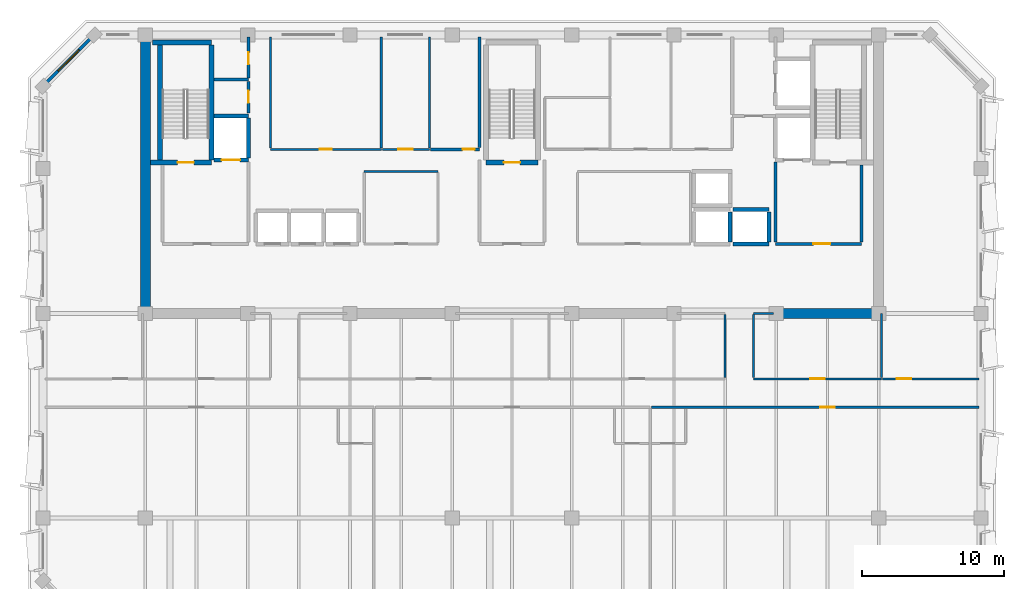
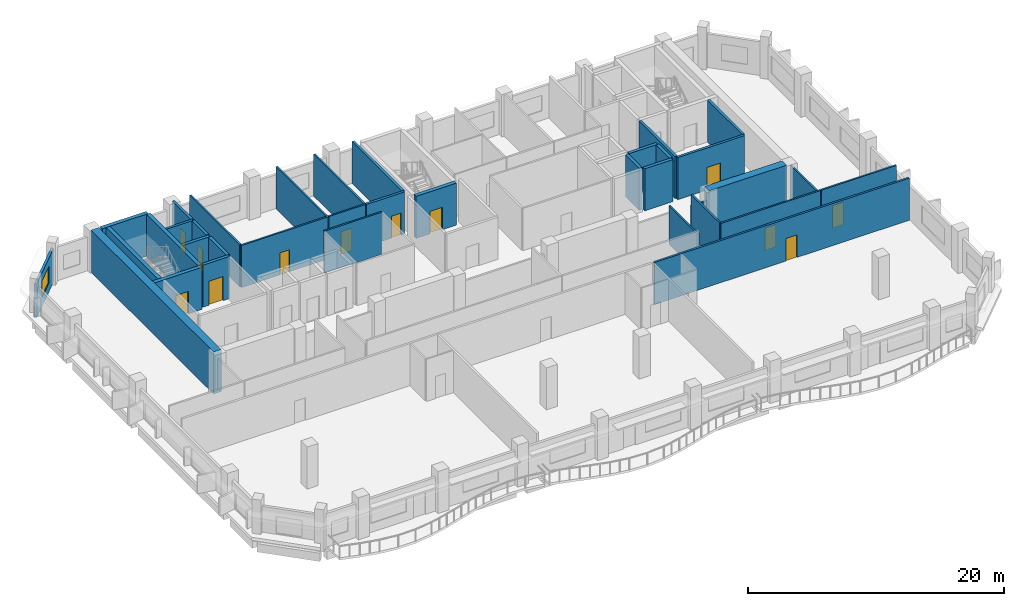
# One storey, part 5 of 10: 36 walls, 12 doors, 1 window, 13 openings.
"""IFC4 building model written with IfcOpenShell, lengths in metres."""

from ifc_helpers import new_model, si_unit, direction, frame, frame_2d, origin, place, context, subcontext, project, spatial, rectangle, extrude, material, layer, layer_set, type_object, element, fill, save


model = new_model("IFC4")

# Units and contexts
model_context = context("Model", 3, precision=1e-05, world=origin(), true_north=direction((0.0, 1.0)))
body_context = subcontext(model_context, "Body", "Model", "MODEL_VIEW")
ifc_project = project(units=[si_unit("LENGTHUNIT", "METRE"), si_unit("AREAUNIT", "SQUARE_METRE"), si_unit("VOLUMEUNIT", "CUBIC_METRE"), si_unit("PLANEANGLEUNIT", "RADIAN"), si_unit("MASSUNIT", "GRAM", prefix="KILO")], contexts=[model_context])

# Site, building, storey
site_placement = place(None, origin())
site = spatial("IfcSite", under=ifc_project, at=site_placement, CompositionType="ELEMENT")
building_placement = place(site_placement, origin())
building = spatial("IfcBuilding", under=site, at=building_placement, Name="Kaelvorn Grand Hotel", CompositionType="ELEMENT")
storey_placement = place(building_placement, frame((0.0, 0.0, 290.300048828125)))
storey = spatial("IfcBuildingStorey", under=building, at=storey_placement, Name="L71", CompositionType="ELEMENT", Elevation=290.300048828125)

# Walls
ifc_material_1 = material(Name="Concrete C50/60", Category="concrete")
ifc_layer_1 = layer(ifc_material_1, 0.699951171875)
ifc_layer_set_1 = layer_set([ifc_layer_1], Name="Concrete C50/60")
wall_type_1 = type_object("IfcWallType", Name="WL-CORE-700-C50", PredefinedType="SHEAR", material=ifc_layer_set_1)
wall_1_placement = place(storey_placement, frame((16.199951171875, 29.39990234375, 0.0), z_axis=(0.0, 0.0, 1.0), x_axis=(0.0, 1.0, 0.0)))
element("IfcWall", 1, at=wall_1_placement, inside=storey, type_object=wall_type_1, Name="L71 Rear-Core West Shear Wall", PredefinedType="SHEAR", context=body_context, shape_type="SweptSolid", body=[
    extrude(rectangle(XDim=19.2001953125, YDim=0.699951171875, at=frame_2d((9.60009765625, 0.0))), origin(), (0.0, 0.0, 1.0), 4.02001953125),
])
wall_2_placement = place(storey_placement, frame((60.39990234375, 29.39990234375, 0.0), z_axis=(0.0, 0.0, 1.0), x_axis=(1.0, 0.0, 0.0)))
element("IfcWall", 2, at=wall_2_placement, inside=storey, type_object=wall_type_1, Name="L71 Rear-Core Coupled Shear Pier S4", PredefinedType="SHEAR", context=body_context, shape_type="SweptSolid", body=[
    extrude(rectangle(XDim=7.045166015625, YDim=0.699951171875, at=frame_2d((3.5224609375, 0.0))), origin(), (0.0, 0.0, 1.0), 4.02001953125),
])

# Wall, opening, window
ifc_material_2 = material(Name="Concrete C40/50", Category="concrete")
ifc_layer_2 = layer(ifc_material_2, 0.219970703125)
ifc_layer_set_2 = layer_set([ifc_layer_2], Name="Concrete C40/50")
wall_type_2 = type_object("IfcWallType", Name="WL-EXT-220-C40", PredefinedType="SOLIDWALL", material=ifc_layer_set_2)
wall_3_placement = place(storey_placement, frame((12.60009765625, 49.0, 0.0), z_axis=(0.0, 0.0, 1.0), x_axis=(-0.707106781187, -0.707106781187, 0.0)))
wall_3 = element("IfcWall", 3, at=wall_3_placement, inside=storey, type_object=wall_type_2, Name="L71 Exterior Architectural Concrete Wall 06", PredefinedType="SOLIDWALL", context=body_context, shape_type="SweptSolid", body=[
    extrude(rectangle(XDim=5.09130859375, YDim=0.219970703125, at=frame_2d((2.545654296875, 0.0))), origin(), (0.0, 0.0, 1.0), 3.219970703125),
])
opening_1_placement = place(wall_3_placement, frame((1.49560546875, 0.0, 0.85009765625)))
opening_1 = element("IfcOpeningElement", 4, at=opening_1_placement, cuts=wall_3, Name="Opening W7", PredefinedType="OPENING", context=body_context, shape_type="SweptSolid", body=[
    extrude(rectangle(XDim=2.10009765625, YDim=1.60009765625, at=frame_2d((1.050048828125, 0.800048828125))), frame((0.0, 0.1201171875, 0.0), z_axis=(0.0, -1.0, 0.0), x_axis=(1.0, 0.0, 0.0)), (0.0, 0.0, 1.0), 0.239990234375),
])
ifc_material_3 = material(Name="Laminated Low-E Glass", Category="glass")
window_type = type_object("IfcWindowType", Name="WIN-CHM-2100x1600", PartitioningType="SINGLE_PANEL", PredefinedType="WINDOW", material=ifc_material_3)
window_placement = place(opening_1_placement, origin())
window = element("IfcWindow", 5, at=window_placement, inside=storey, type_object=window_type, Name="L71 Chamfered 45-Degree Corner Window NW", OverallHeight=1.60009765625, OverallWidth=2.10009765625, PartitioningType="SINGLE_PANEL", PredefinedType="WINDOW", context=body_context, shape_type="SweptSolid", body=[
    extrude(rectangle(XDim=2.10009765625, YDim=1.60009765625, at=frame_2d((1.050048828125, 0.800048828125))), frame((0.0, 0.030029296875, 0.0), z_axis=(0.0, -1.0, 0.0), x_axis=(1.0, 0.0, 0.0)), (0.0, 0.0, 1.0), 0.06005859375),
])
fill(opening_1, window)

# Wall
ifc_material_4 = material(Name="Acoustic Gypsum & Stud Partition")
ifc_layer_3 = layer(ifc_material_4, 0.14990234375)
ifc_layer_set_3 = layer_set([ifc_layer_3], Name="Acoustic Gypsum & Stud Partition")
wall_type_3 = type_object("IfcWallType", Name="WL-PART-150-EI60", PredefinedType="PARTITIONING", material=ifc_layer_set_3)
wall_4_placement = place(storey_placement, frame((31.60009765625, 39.39990234375, 0.0), z_axis=(0.0, 0.0, 1.0), x_axis=(1.0, 0.0, 0.0)))
element("IfcWall", 6, at=wall_4_placement, inside=storey, type_object=wall_type_3, Name="L71 Core Telecoms & BMS Server Room N Partition", PredefinedType="PARTITIONING", context=body_context, shape_type="SweptSolid", body=[
    extrude(rectangle(XDim=5.199951171875, YDim=0.14990234375, at=frame_2d((2.60009765625, 0.0))), origin(), (0.0, 0.0, 1.0), 4.02001953125),
])

# Wall, opening, door
wall_5_placement = place(storey_placement, frame((25.0, 40.949951171875, 0.0), z_axis=(0.0, 0.0, 1.0), x_axis=(1.0, 0.0, 0.0)))
wall_5 = element("IfcWall", 7, at=wall_5_placement, inside=storey, type_object=wall_type_3, Name="L71 Housekeeping & Linen Room S Partition", PredefinedType="PARTITIONING", context=body_context, shape_type="SweptSolid", body=[
    extrude(rectangle(XDim=7.800048828125, YDim=0.14990234375, at=frame_2d((3.89990234375, 0.0))), origin(), (0.0, 0.0, 1.0), 4.02001953125),
])
opening_2_placement = place(wall_5_placement, frame((3.47509765625, 0.0, 0.0)))
opening_2 = element("IfcOpeningElement", 8, at=opening_2_placement, cuts=wall_5, Name="Opening DI7", PredefinedType="OPENING", context=body_context, shape_type="SweptSolid", body=[
    extrude(rectangle(XDim=0.85009765625, YDim=2.10009765625, at=frame_2d((0.425048828125, 1.050048828125))), frame((0.0, 0.0849609375, 0.0), z_axis=(0.0, -1.0, 0.0), x_axis=(1.0, 0.0, 0.0)), (0.0, 0.0, 1.0), 0.169921875),
])
ifc_material_5 = material(Name="Powder-Coated Steel Leaf", Category="steel")
door_type_1 = type_object("IfcDoorType", Name="DR-INT-RISER-850x2100", OperationType="NOTDEFINED", PredefinedType="DOOR", material=ifc_material_5)
door_1_placement = place(opening_2_placement, origin())
door_1 = element("IfcDoor", 9, at=door_1_placement, inside=storey, type_object=door_type_1, Name="L71 Housekeeping & Linen Room Door", OperationType="SINGLE_SWING_RIGHT", OverallHeight=2.10009765625, OverallWidth=0.85009765625, PredefinedType="DOOR", context=body_context, shape_type="SweptSolid", body=[
    extrude(rectangle(XDim=0.85009765625, YDim=2.10009765625, at=frame_2d((0.425048828125, 1.050048828125))), frame((0.0, 0.02490234375, 0.0), z_axis=(0.0, -1.0, 0.0), x_axis=(1.0, 0.0, 0.0)), (0.0, 0.0, 1.0), 0.050048828125),
])
fill(opening_2, door_1)

# Walls
for number, where, z_axis, x_axis, name in (
    (10, (25.0, 41.030029296875, 0.0), (0.0, 0.0, 1.0), (0.0, 1.0, 0.0), "L71 Housekeeping & Linen Room W Partition"),
    (11, (32.800048828125, 41.030029296875, 0.0), (0.0, 0.0, 1.0), (0.0, 1.0, 0.0), "L71 Housekeeping & Linen Room E Partition"),
):
    element("IfcWall", number, at=place(storey_placement, frame(where, z_axis=z_axis, x_axis=x_axis)), inside=storey, type_object=wall_type_3, Name=name, PredefinedType="PARTITIONING", context=body_context, shape_type="SweptSolid", body=[
        extrude(rectangle(XDim=7.820068359375, YDim=0.14990234375, at=frame_2d((3.91015625, 0.0))), origin(), (0.0, 0.0, 1.0), 4.02001953125),
    ])

# Wall, opening, door
wall_6_placement = place(storey_placement, frame((32.8798828125, 40.949951171875, 0.0), z_axis=(0.0, 0.0, 1.0), x_axis=(1.0, 0.0, 0.0)))
wall_6 = element("IfcWall", 12, at=wall_6_placement, inside=storey, type_object=wall_type_3, Name="L71 Floor Butler Tea Point S Partition", PredefinedType="PARTITIONING", context=body_context, shape_type="SweptSolid", body=[
    extrude(rectangle(XDim=3.320068359375, YDim=0.14990234375, at=frame_2d((1.66015625, 0.0))), origin(), (0.0, 0.0, 1.0), 4.02001953125),
])
opening_3_placement = place(wall_6_placement, frame((1.1201171875, 0.0, 0.0)))
opening_3 = element("IfcOpeningElement", 13, at=opening_3_placement, cuts=wall_6, Name="Opening DI3", PredefinedType="OPENING", context=body_context, shape_type="SweptSolid", body=[
    extrude(rectangle(XDim=1.0, YDim=2.14990234375, at=frame_2d((0.5, 1.074951171875))), frame((0.0, 0.0849609375, 0.0), z_axis=(0.0, -1.0, 0.0), x_axis=(1.0, 0.0, 0.0)), (0.0, 0.0, 1.0), 0.169921875),
])
ifc_material_6 = material(Name="Timber Veneer Fire Leaf", Category="wood")
door_type_2 = type_object("IfcDoorType", Name="DR-INT-GUEST-1000x2150", OperationType="NOTDEFINED", PredefinedType="DOOR", material=ifc_material_6)
door_2_placement = place(opening_3_placement, origin())
door_2 = element("IfcDoor", 14, at=door_2_placement, inside=storey, type_object=door_type_2, Name="L71 Floor Butler Tea Point Door", OperationType="SINGLE_SWING_LEFT", OverallHeight=2.14990234375, OverallWidth=1.0, PredefinedType="DOOR", context=body_context, shape_type="SweptSolid", body=[
    extrude(rectangle(XDim=1.0, YDim=2.14990234375, at=frame_2d((0.5, 1.074951171875))), frame((0.0, 0.02490234375, 0.0), z_axis=(0.0, -1.0, 0.0), x_axis=(1.0, 0.0, 0.0)), (0.0, 0.0, 1.0), 0.050048828125),
])
fill(opening_3, door_2)

# Walls
wall_7_placement = place(storey_placement, frame((36.199951171875, 41.030029296875, 0.0), z_axis=(0.0, 0.0, 1.0), x_axis=(0.0, 1.0, 0.0)))
element("IfcWall", 15, at=wall_7_placement, inside=storey, type_object=wall_type_3, Name="L71 Floor Butler Tea Point E Partition", PredefinedType="PARTITIONING", context=body_context, shape_type="SweptSolid", body=[
    extrude(rectangle(XDim=7.820068359375, YDim=0.14990234375, at=frame_2d((3.91015625, 0.0))), origin(), (0.0, 0.0, 1.0), 4.02001953125),
])
wall_8_placement = place(storey_placement, frame((57.0, 24.8798828125, 0.0), z_axis=(0.0, 0.0, 1.0), x_axis=(0.0, 1.0, 0.0)))
element("IfcWall", 16, at=wall_8_placement, inside=storey, type_object=wall_type_3, Name="L71 Family Sitting Room E Partition", PredefinedType="PARTITIONING", context=body_context, shape_type="SweptSolid", body=[
    extrude(rectangle(XDim=4.440185546875, YDim=0.14990234375, at=frame_2d((2.22021484375, 0.0))), origin(), (0.0, 0.0, 1.0), 3.659912109375),
])

# Wall, opening, door
wall_9_placement = place(storey_placement, frame((59.0, 24.800048828125, 0.0), z_axis=(0.0, 0.0, 1.0), x_axis=(1.0, 0.0, 0.0)))
wall_9 = element("IfcWall", 17, at=wall_9_placement, inside=storey, type_object=wall_type_3, Name="L71 VIP Dining Restaurant S Partition", PredefinedType="PARTITIONING", context=body_context, shape_type="SweptSolid", body=[
    extrude(rectangle(XDim=9.0, YDim=0.14990234375, at=frame_2d((4.5, 0.0))), origin(), (0.0, 0.0, 1.0), 4.02001953125),
])
opening_4_placement = place(wall_9_placement, frame((4.0, 0.0, 0.0)))
opening_4 = element("IfcOpeningElement", 18, at=opening_4_placement, cuts=wall_9, Name="Opening DI3", PredefinedType="OPENING", context=body_context, shape_type="SweptSolid", body=[
    extrude(rectangle(XDim=1.0, YDim=2.14990234375, at=frame_2d((0.5, 1.074951171875))), frame((0.0, 0.0849609375, 0.0), z_axis=(0.0, -1.0, 0.0), x_axis=(1.0, 0.0, 0.0)), (0.0, 0.0, 1.0), 0.169921875),
])
door_3_placement = place(opening_4_placement, origin())
door_3 = element("IfcDoor", 19, at=door_3_placement, inside=storey, type_object=door_type_2, Name="L71 VIP Dining Restaurant Door", OperationType="SINGLE_SWING_LEFT", OverallHeight=2.14990234375, OverallWidth=1.0, PredefinedType="DOOR", context=body_context, shape_type="SweptSolid", body=[
    extrude(rectangle(XDim=1.0, YDim=2.14990234375, at=frame_2d((0.5, 1.074951171875))), frame((0.0, 0.02490234375, 0.0), z_axis=(0.0, -1.0, 0.0), x_axis=(1.0, 0.0, 0.0)), (0.0, 0.0, 1.0), 0.050048828125),
])
fill(opening_4, door_3)

# Walls
wall_10_placement = place(storey_placement, frame((59.0, 29.39990234375, 0.0), z_axis=(0.0, 0.0, 1.0), x_axis=(1.0, 0.0, 0.0)))
element("IfcWall", 20, at=wall_10_placement, inside=storey, type_object=wall_type_3, Name="L71 VIP Dining Restaurant N Partition", PredefinedType="PARTITIONING", context=body_context, shape_type="SweptSolid", body=[
    extrude(rectangle(XDim=1.389892578125, YDim=0.14990234375, at=frame_2d((0.69482421875, 0.0))), origin(), (0.0, 0.0, 1.0), 2.919921875),
])
wall_11_placement = place(storey_placement, frame((59.0, 24.8798828125, 0.0), z_axis=(0.0, 0.0, 1.0), x_axis=(0.0, 1.0, 0.0)))
element("IfcWall", 21, at=wall_11_placement, inside=storey, type_object=wall_type_3, Name="L71 VIP Dining Restaurant W Partition", PredefinedType="PARTITIONING", context=body_context, shape_type="SweptSolid", body=[
    extrude(rectangle(XDim=4.440185546875, YDim=0.14990234375, at=frame_2d((2.22021484375, 0.0))), origin(), (0.0, 0.0, 1.0), 4.02001953125),
])
wall_12_placement = place(storey_placement, frame((68.0, 24.8798828125, 0.0), z_axis=(0.0, 0.0, 1.0), x_axis=(0.0, 1.0, 0.0)))
element("IfcWall", 22, at=wall_12_placement, inside=storey, type_object=wall_type_3, Name="L71 VIP Dining Restaurant E Partition", PredefinedType="PARTITIONING", context=body_context, shape_type="SweptSolid", body=[
    extrude(rectangle(XDim=4.510009765625, YDim=0.14990234375, at=frame_2d((2.2548828125, 0.0))), origin(), (0.0, 0.0, 1.0), 3.659912109375),
])

# Wall, opening, door
wall_13_placement = place(storey_placement, frame((68.080078125, 24.800048828125, 0.0), z_axis=(0.0, 0.0, 1.0), x_axis=(1.0, 0.0, 0.0)))
wall_13 = element("IfcWall", 23, at=wall_13_placement, inside=storey, type_object=wall_type_3, Name="L71 East Sky Art Gallery Salon S Partition", PredefinedType="PARTITIONING", context=body_context, shape_type="SweptSolid", body=[
    extrude(rectangle(XDim=6.77001953125, YDim=0.14990234375, at=frame_2d((3.385009765625, 0.0))), origin(), (0.0, 0.0, 1.0), 4.02001953125),
])
opening_5_placement = place(wall_13_placement, frame((1.0, 0.0, 0.0)))
opening_5 = element("IfcOpeningElement", 24, at=opening_5_placement, cuts=wall_13, Name="Opening DI3", PredefinedType="OPENING", context=body_context, shape_type="SweptSolid", body=[
    extrude(rectangle(XDim=1.0, YDim=2.14990234375, at=frame_2d((0.5, 1.074951171875))), frame((0.0, 0.0849609375, 0.0), z_axis=(0.0, -1.0, 0.0), x_axis=(1.0, 0.0, 0.0)), (0.0, 0.0, 1.0), 0.169921875),
])
door_4_placement = place(opening_5_placement, origin())
door_4 = element("IfcDoor", 25, at=door_4_placement, inside=storey, type_object=door_type_2, Name="L71 East Sky Art Gallery Salon Door", OperationType="SINGLE_SWING_LEFT", OverallHeight=2.14990234375, OverallWidth=1.0, PredefinedType="DOOR", context=body_context, shape_type="SweptSolid", body=[
    extrude(rectangle(XDim=1.0, YDim=2.14990234375, at=frame_2d((0.5, 1.074951171875))), frame((0.0, 0.02490234375, 0.0), z_axis=(0.0, -1.0, 0.0), x_axis=(1.0, 0.0, 0.0)), (0.0, 0.0, 1.0), 0.050048828125),
])
fill(opening_5, door_4)

ifc_layer_4 = layer(ifc_material_4, 0.179931640625)
ifc_layer_set_4 = layer_set([ifc_layer_4], Name="Acoustic Gypsum & Stud Partition")
wall_type_4 = type_object("IfcWallType", Name="WL-PART-180-EI60", PredefinedType="PARTITIONING", material=ifc_layer_set_4)
wall_14_placement = place(storey_placement, frame((51.811767578125, 22.800048828125, 0.0), z_axis=(0.0, 0.0, 1.0), x_axis=(1.0, 0.0, 0.0)))
wall_14 = element("IfcWall", 26, at=wall_14_placement, inside=storey, type_object=wall_type_4, Name="L71 Presidential Sky Suite L71-03 N Partition", PredefinedType="PARTITIONING", context=body_context, shape_type="SweptSolid", body=[
    extrude(rectangle(XDim=23.038330078125, YDim=0.179931640625, at=frame_2d((11.51904296875, 0.0))), origin(), (0.0, 0.0, 1.0), 4.02001953125),
])
opening_6_placement = place(wall_14_placement, frame((11.88818359375, 0.0, 0.0)))
opening_6 = element("IfcOpeningElement", 27, at=opening_6_placement, cuts=wall_14, Name="Opening DI3", PredefinedType="OPENING", context=body_context, shape_type="SweptSolid", body=[
    extrude(rectangle(XDim=1.0, YDim=2.14990234375, at=frame_2d((0.5, 1.074951171875))), frame((0.0, 0.10009765625, 0.0), z_axis=(0.0, -1.0, 0.0), x_axis=(1.0, 0.0, 0.0)), (0.0, 0.0, 1.0), 0.199951171875),
])
door_5_placement = place(opening_6_placement, origin())
door_5 = element("IfcDoor", 28, at=door_5_placement, inside=storey, type_object=door_type_2, Name="L71 Presidential Sky Suite L71-03 Door", OperationType="SINGLE_SWING_RIGHT", OverallHeight=2.14990234375, OverallWidth=1.0, PredefinedType="DOOR", context=body_context, shape_type="SweptSolid", body=[
    extrude(rectangle(XDim=1.0, YDim=2.14990234375, at=frame_2d((0.5, 1.074951171875))), frame((0.0, 0.02490234375, 0.0), z_axis=(0.0, -1.0, 0.0), x_axis=(1.0, 0.0, 0.0)), (0.0, 0.0, 1.0), 0.050048828125),
])
fill(opening_6, door_5)

ifc_layer_5 = layer(ifc_material_2, 0.219970703125)
ifc_layer_set_5 = layer_set([ifc_layer_5], Name="Concrete C40/50")
wall_type_5 = type_object("IfcWallType", Name="WL-PART-220-EI120", PredefinedType="PARTITIONING", material=ifc_layer_set_5)
wall_15_placement = place(storey_placement, frame((60.550048828125, 34.300048828125, 0.0), z_axis=(0.0, 0.0, 1.0), x_axis=(1.0, 0.0, 0.0)))
wall_15 = element("IfcWall", 29, at=wall_15_placement, inside=storey, type_object=wall_type_5, Name="L71 Firefighting Lift Lobby 2 S Partition", PredefinedType="PARTITIONING", context=body_context, shape_type="SweptSolid", body=[
    extrude(rectangle(XDim=6.050048828125, YDim=0.219970703125, at=frame_2d((3.02490234375, 0.0))), origin(), (0.0, 0.0, 1.0), 4.02001953125),
])
opening_7_placement = place(wall_15_placement, frame((2.64990234375, 0.0, 0.0)))
opening_7 = element("IfcOpeningElement", 30, at=opening_7_placement, cuts=wall_15, Name="Opening DI2", PredefinedType="OPENING", context=body_context, shape_type="SweptSolid", body=[
    extrude(rectangle(XDim=1.199951171875, YDim=2.14990234375, at=frame_2d((0.60009765625, 1.074951171875))), frame((0.0, 0.1201171875, 0.0), z_axis=(0.0, -1.0, 0.0), x_axis=(1.0, 0.0, 0.0)), (0.0, 0.0, 1.0), 0.239990234375),
])
door_type_3 = type_object("IfcDoorType", Name="DR-INT-FFLOB-1200x2150", OperationType="NOTDEFINED", PredefinedType="DOOR", material=ifc_material_6)
door_6_placement = place(opening_7_placement, origin())
door_6 = element("IfcDoor", 31, at=door_6_placement, inside=storey, type_object=door_type_3, Name="L71 Firefighting Lift Lobby 2 Door", OperationType="SINGLE_SWING_LEFT", OverallHeight=2.14990234375, OverallWidth=1.199951171875, PredefinedType="DOOR", context=body_context, shape_type="SweptSolid", body=[
    extrude(rectangle(XDim=1.199951171875, YDim=2.14990234375, at=frame_2d((0.60009765625, 1.074951171875))), frame((0.0, 0.02490234375, 0.0), z_axis=(0.0, -1.0, 0.0), x_axis=(1.0, 0.0, 0.0)), (0.0, 0.0, 1.0), 0.050048828125),
])
fill(opening_7, door_6)

# Walls
wall_16_placement = place(storey_placement, frame((60.550048828125, 34.4150390625, 0.0), z_axis=(0.0, 0.0, 1.0), x_axis=(0.0, 1.0, 0.0)))
element("IfcWall", 32, at=wall_16_placement, inside=storey, type_object=wall_type_5, Name="L71 Firefighting Lift Lobby 2 W Partition", PredefinedType="PARTITIONING", context=body_context, shape_type="SweptSolid", body=[
    extrude(rectangle(XDim=5.639892578125, YDim=0.219970703125, at=frame_2d((2.81982421875, 0.0))), origin(), (0.0, 0.0, 1.0), 4.02001953125),
])
wall_17_placement = place(storey_placement, frame((66.60009765625, 34.4150390625, 0.0), z_axis=(0.0, 0.0, 1.0), x_axis=(0.0, 1.0, 0.0)))
element("IfcWall", 33, at=wall_17_placement, inside=storey, type_object=wall_type_5, Name="L71 Firefighting Lift Lobby 2 E Partition", PredefinedType="PARTITIONING", context=body_context, shape_type="SweptSolid", body=[
    extrude(rectangle(XDim=5.429931640625, YDim=0.219970703125, at=frame_2d((2.71484375, 0.0))), origin(), (0.0, 0.0, 1.0), 4.02001953125),
])
wall_18_placement = place(storey_placement, frame((21.034912109375, 45.85009765625, 0.0), z_axis=(0.0, 0.0, 1.0), x_axis=(1.0, 0.0, 0.0)))
element("IfcWall", 34, at=wall_18_placement, inside=storey, type_object=wall_type_5, Name="L71 Wet Fire & Plumbing Riser Shaft N Partition", PredefinedType="PARTITIONING", context=body_context, shape_type="SweptSolid", body=[
    extrude(rectangle(XDim=2.4150390625, YDim=0.219970703125, at=frame_2d((1.20751953125, 0.0))), origin(), (0.0, 0.0, 1.0), 4.02001953125),
])

# Wall, opening, door
wall_19_placement = place(storey_placement, frame((23.449951171875, 43.5, 0.0), z_axis=(0.0, 0.0, 1.0), x_axis=(0.0, 1.0, 0.0)))
wall_19 = element("IfcWall", 35, at=wall_19_placement, inside=storey, type_object=wall_type_5, Name="L71 Wet Fire & Plumbing Riser Shaft E Partition", PredefinedType="PARTITIONING", context=body_context, shape_type="SweptSolid", body=[
    extrude(rectangle(XDim=2.235107421875, YDim=0.219970703125, at=frame_2d((1.11767578125, 0.0))), origin(), (0.0, 0.0, 1.0), 4.02001953125),
])
opening_8_placement = place(wall_19_placement, frame((0.72509765625, 0.0, 0.0)))
opening_8 = element("IfcOpeningElement", 36, at=opening_8_placement, cuts=wall_19, Name="Opening DI7", PredefinedType="OPENING", context=body_context, shape_type="SweptSolid", body=[
    extrude(rectangle(XDim=0.85009765625, YDim=2.10009765625, at=frame_2d((0.425048828125, 1.050048828125))), frame((0.0, 0.1201171875, 0.0), z_axis=(0.0, -1.0, 0.0), x_axis=(1.0, 0.0, 0.0)), (0.0, 0.0, 1.0), 0.239990234375),
])
door_7_placement = place(opening_8_placement, origin())
door_7 = element("IfcDoor", 37, at=door_7_placement, inside=storey, type_object=door_type_1, Name="L71 Wet Fire & Plumbing Riser Shaft Door", OperationType="SINGLE_SWING_RIGHT", OverallHeight=2.10009765625, OverallWidth=0.85009765625, PredefinedType="DOOR", context=body_context, shape_type="SweptSolid", body=[
    extrude(rectangle(XDim=0.85009765625, YDim=2.10009765625, at=frame_2d((0.425048828125, 1.050048828125))), frame((0.0, 0.02490234375, 0.0), z_axis=(0.0, -1.0, 0.0), x_axis=(1.0, 0.0, 0.0)), (0.0, 0.0, 1.0), 0.050048828125),
])
fill(opening_8, door_7)

wall_20_placement = place(storey_placement, frame((23.449951171875, 45.965087890625, 0.0), z_axis=(0.0, 0.0, 1.0), x_axis=(0.0, 1.0, 0.0)))
wall_20 = element("IfcWall", 38, at=wall_20_placement, inside=storey, type_object=wall_type_5, Name="L71 HV Electrical & Smoke Riser E Partition", PredefinedType="PARTITIONING", context=body_context, shape_type="SweptSolid", body=[
    extrude(rectangle(XDim=2.885009765625, YDim=0.219970703125, at=frame_2d((1.4423828125, 0.0))), origin(), (0.0, 0.0, 1.0), 4.02001953125),
])
opening_9_placement = place(wall_20_placement, frame((0.9599609375, 0.0, 0.0)))
opening_9 = element("IfcOpeningElement", 39, at=opening_9_placement, cuts=wall_20, Name="Opening DI7", PredefinedType="OPENING", context=body_context, shape_type="SweptSolid", body=[
    extrude(rectangle(XDim=0.85009765625, YDim=2.10009765625, at=frame_2d((0.425048828125, 1.050048828125))), frame((0.0, 0.1201171875, 0.0), z_axis=(0.0, -1.0, 0.0), x_axis=(1.0, 0.0, 0.0)), (0.0, 0.0, 1.0), 0.239990234375),
])
door_8_placement = place(opening_9_placement, origin())
door_8 = element("IfcDoor", 40, at=door_8_placement, inside=storey, type_object=door_type_1, Name="L71 HV Electrical & Smoke Riser Door", OperationType="SINGLE_SWING_LEFT", OverallHeight=2.10009765625, OverallWidth=0.85009765625, PredefinedType="DOOR", context=body_context, shape_type="SweptSolid", body=[
    extrude(rectangle(XDim=0.85009765625, YDim=2.10009765625, at=frame_2d((0.425048828125, 1.050048828125))), frame((0.0, 0.02490234375, 0.0), z_axis=(0.0, -1.0, 0.0), x_axis=(1.0, 0.0, 0.0)), (0.0, 0.0, 1.0), 0.050048828125),
])
fill(opening_9, door_8)

wall_21_placement = place(storey_placement, frame((36.280029296875, 40.949951171875, 0.0), z_axis=(0.0, 0.0, 1.0), x_axis=(1.0, 0.0, 0.0)))
wall_21 = element("IfcWall", 41, at=wall_21_placement, inside=storey, type_object=wall_type_5, Name="L71 LV Electrical & Metering Room S Partition", PredefinedType="PARTITIONING", context=body_context, shape_type="SweptSolid", body=[
    extrude(rectangle(XDim=3.419921875, YDim=0.219970703125, at=frame_2d((1.7099609375, 0.0))), origin(), (0.0, 0.0, 1.0), 4.02001953125),
])
opening_10_placement = place(wall_21_placement, frame((2.2451171875, 0.0, 0.0)))
opening_10 = element("IfcOpeningElement", 42, at=opening_10_placement, cuts=wall_21, Name="Opening DI7", PredefinedType="OPENING", context=body_context, shape_type="SweptSolid", body=[
    extrude(rectangle(XDim=0.85009765625, YDim=2.10009765625, at=frame_2d((0.425048828125, 1.050048828125))), frame((0.0, 0.1201171875, 0.0), z_axis=(0.0, -1.0, 0.0), x_axis=(1.0, 0.0, 0.0)), (0.0, 0.0, 1.0), 0.239990234375),
])
door_9_placement = place(opening_10_placement, origin())
door_9 = element("IfcDoor", 43, at=door_9_placement, inside=storey, type_object=door_type_1, Name="L71 LV Electrical & Metering Room Door", OperationType="SINGLE_SWING_RIGHT", OverallHeight=2.10009765625, OverallWidth=0.85009765625, PredefinedType="DOOR", context=body_context, shape_type="SweptSolid", body=[
    extrude(rectangle(XDim=0.85009765625, YDim=2.10009765625, at=frame_2d((0.425048828125, 1.050048828125))), frame((0.0, 0.02490234375, 0.0), z_axis=(0.0, -1.0, 0.0), x_axis=(1.0, 0.0, 0.0)), (0.0, 0.0, 1.0), 0.050048828125),
])
fill(opening_10, door_9)

# Walls
wall_22_placement = place(storey_placement, frame((39.699951171875, 41.06494140625, 0.0), z_axis=(0.0, 0.0, 1.0), x_axis=(0.0, 1.0, 0.0)))
element("IfcWall", 44, at=wall_22_placement, inside=storey, type_object=wall_type_5, Name="L71 LV Electrical & Metering Room E Partition", PredefinedType="PARTITIONING", context=body_context, shape_type="SweptSolid", body=[
    extrude(rectangle(XDim=7.78515625, YDim=0.219970703125, at=frame_2d((3.892578125, 0.0))), origin(), (0.0, 0.0, 1.0), 4.02001953125),
])
ifc_layer_6 = layer(ifc_material_1, 0.280029296875)
ifc_layer_set_6 = layer_set([ifc_layer_6], Name="Concrete C50/60")
wall_type_6 = type_object("IfcWallType", Name="WL-SHAFT-280-C50", PredefinedType="SHEAR", material=ifc_layer_set_6)
wall_23_placement = place(storey_placement, frame((57.35009765625, 34.445068359375, 0.0), z_axis=(0.0, 0.0, 1.0), x_axis=(0.0, 1.0, 0.0)))
element("IfcWall", 45, at=wall_23_placement, inside=storey, type_object=wall_type_6, Name="L71 Lift OL-1 Shaft East Wall", PredefinedType="SHEAR", context=body_context, shape_type="SweptSolid", body=[
    extrude(rectangle(XDim=2.10986328125, YDim=0.280029296875, at=frame_2d((1.054931640625, 0.0))), origin(), (0.0, 0.0, 1.0), 4.02001953125),
])
for number, where, z_axis, x_axis, name in (
    (46, (57.550048828125, 34.300048828125, 0.0), (0.0, 0.0, 1.0), (1.0, 0.0, 0.0), "L71 Lift OL-2 Shaft South Wall"),
    (47, (57.550048828125, 36.699951171875, 0.0), (0.0, 0.0, 1.0), (1.0, 0.0, 0.0), "L71 Lift OL-2 Shaft North Wall"),
):
    element("IfcWall", number, at=place(storey_placement, frame(where, z_axis=z_axis, x_axis=x_axis)), inside=storey, type_object=wall_type_6, Name=name, PredefinedType="SHEAR", context=body_context, shape_type="SweptSolid", body=[
        extrude(rectangle(XDim=2.550048828125, YDim=0.280029296875, at=frame_2d((1.27490234375, 0.0))), origin(), (0.0, 0.0, 1.0), 4.02001953125),
    ])
wall_24_placement = place(storey_placement, frame((60.10009765625, 34.445068359375, 0.0), z_axis=(0.0, 0.0, 1.0), x_axis=(0.0, 1.0, 0.0)))
element("IfcWall", 48, at=wall_24_placement, inside=storey, type_object=wall_type_6, Name="L71 Lift OL-2 Shaft East Wall", PredefinedType="SHEAR", context=body_context, shape_type="SweptSolid", body=[
    extrude(rectangle(XDim=2.10986328125, YDim=0.280029296875, at=frame_2d((1.054931640625, 0.0))), origin(), (0.0, 0.0, 1.0), 4.02001953125),
])

# Wall, opening, door
wall_25_placement = place(storey_placement, frame((21.034912109375, 40.199951171875, 0.0), z_axis=(0.0, 0.0, 1.0), x_axis=(1.0, 0.0, 0.0)))
wall_25 = element("IfcWall", 49, at=wall_25_placement, inside=storey, type_object=wall_type_6, Name="L71 Lift FFL1 Shaft South Wall", PredefinedType="SHEAR", context=body_context, shape_type="SweptSolid", body=[
    extrude(rectangle(XDim=2.4150390625, YDim=0.280029296875, at=frame_2d((1.20751953125, 0.0))), origin(), (0.0, 0.0, 1.0), 4.02001953125),
])
opening_11_placement = place(wall_25_placement, frame((0.5400390625, 0.0, 0.0)))
opening_11 = element("IfcOpeningElement", 50, at=opening_11_placement, cuts=wall_25, Name="Opening LD-FFL1", PredefinedType="OPENING", context=body_context, shape_type="SweptSolid", body=[
    extrude(rectangle(XDim=1.300048828125, YDim=2.300048828125, at=frame_2d((0.64990234375, 1.14990234375))), frame((0.0, 0.14990234375, 0.0), z_axis=(0.0, -1.0, 0.0), x_axis=(1.0, 0.0, 0.0)), (0.0, 0.0, 1.0), 0.300048828125),
])
ifc_material_7 = material(Name="Stainless Steel", Category="steel")
door_type_4 = type_object("IfcDoorType", Name="DR-LIFT-SERV-1300x2300", OperationType="DOUBLE_DOOR_SLIDING", PredefinedType="DOOR", material=ifc_material_7)
door_10_placement = place(opening_11_placement, origin())
door_10 = element("IfcDoor", 51, at=door_10_placement, inside=storey, type_object=door_type_4, Name="L71 Lift FFL1 Sliding Landing Door LD-FFL1", OperationType="DOUBLE_DOOR_SLIDING", OverallHeight=2.300048828125, OverallWidth=1.300048828125, PredefinedType="DOOR", context=body_context, shape_type="SweptSolid", body=[
    extrude(rectangle(XDim=1.300048828125, YDim=2.300048828125, at=frame_2d((0.64990234375, 1.14990234375))), frame((0.0, 0.02490234375, 0.0), z_axis=(0.0, -1.0, 0.0), x_axis=(1.0, 0.0, 0.0)), (0.0, 0.0, 1.0), 0.050048828125),
])
fill(opening_11, door_10)

# Walls
wall_26_placement = place(storey_placement, frame((21.034912109375, 43.300048828125, 0.0), z_axis=(0.0, 0.0, 1.0), x_axis=(1.0, 0.0, 0.0)))
element("IfcWall", 52, at=wall_26_placement, inside=storey, type_object=wall_type_6, Name="L71 Lift FFL1 Shaft North Wall", PredefinedType="SHEAR", context=body_context, shape_type="SweptSolid", body=[
    extrude(rectangle(XDim=2.4150390625, YDim=0.280029296875, at=frame_2d((1.20751953125, 0.0))), origin(), (0.0, 0.0, 1.0), 4.02001953125),
])
wall_27_placement = place(storey_placement, frame((23.449951171875, 40.344970703125, 0.0), z_axis=(0.0, 0.0, 1.0), x_axis=(0.0, 1.0, 0.0)))
element("IfcWall", 53, at=wall_27_placement, inside=storey, type_object=wall_type_6, Name="L71 Lift FFL1 Shaft East Wall", PredefinedType="SHEAR", context=body_context, shape_type="SweptSolid", body=[
    extrude(rectangle(XDim=2.81005859375, YDim=0.280029296875, at=frame_2d((1.405029296875, 0.0))), origin(), (0.0, 0.0, 1.0), 4.02001953125),
])

# Wall, opening, door
ifc_material_8 = material(Name="Concrete C60/75", Category="concrete")
ifc_layer_7 = layer(ifc_material_8, 0.35009765625)
ifc_layer_set_7 = layer_set([ifc_layer_7], Name="Concrete C60/75")
wall_type_7 = type_object("IfcWallType", Name="WL-SHAFT-350-C60", PredefinedType="SHEAR", material=ifc_layer_set_7)
wall_28_placement = place(storey_placement, frame((16.554931640625, 40.02490234375, 0.0), z_axis=(0.0, 0.0, 1.0), x_axis=(1.0, 0.0, 0.0)))
wall_28 = element("IfcWall", 54, at=wall_28_placement, inside=storey, type_object=wall_type_7, Name="L71 ST1 Stair Shaft South Wall", PredefinedType="SHEAR", context=body_context, shape_type="SweptSolid", body=[
    extrude(rectangle(XDim=4.300048828125, YDim=0.35009765625, at=frame_2d((2.14990234375, 0.0))), origin(), (0.0, 0.0, 1.0), 4.02001953125),
])
opening_12_placement = place(wall_28_placement, frame((1.909912109375, 0.0, 0.0)))
opening_12 = element("IfcOpeningElement", 55, at=opening_12_placement, cuts=wall_28, Name="Opening DI1", PredefinedType="OPENING", context=body_context, shape_type="SweptSolid", body=[
    extrude(rectangle(XDim=1.14990234375, YDim=2.14990234375, at=frame_2d((0.574951171875, 1.074951171875))), frame((0.0, 0.18505859375, 0.0), z_axis=(0.0, -1.0, 0.0), x_axis=(1.0, 0.0, 0.0)), (0.0, 0.0, 1.0), 0.3701171875),
])
door_type_5 = type_object("IfcDoorType", Name="DR-INT-STAIR-1150x2150", OperationType="NOTDEFINED", PredefinedType="DOOR", material=ifc_material_6)
door_11_placement = place(opening_12_placement, origin())
door_11 = element("IfcDoor", 56, at=door_11_placement, inside=storey, type_object=door_type_5, Name="L71 ST1 Exit Stair Fire Door", OperationType="SINGLE_SWING_LEFT", OverallHeight=2.14990234375, OverallWidth=1.14990234375, PredefinedType="DOOR", context=body_context, shape_type="SweptSolid", body=[
    extrude(rectangle(XDim=1.14990234375, YDim=2.14990234375, at=frame_2d((0.574951171875, 1.074951171875))), frame((0.0, 0.02490234375, 0.0), z_axis=(0.0, -1.0, 0.0), x_axis=(1.0, 0.0, 0.0)), (0.0, 0.0, 1.0), 0.050048828125),
])
fill(opening_12, door_11)

# Walls
wall_29_placement = place(storey_placement, frame((16.705078125, 48.47509765625, 0.0), z_axis=(0.0, 0.0, 1.0), x_axis=(1.0, 0.0, 0.0)))
element("IfcWall", 57, at=wall_29_placement, inside=storey, type_object=wall_type_7, Name="L71 ST1 Stair Shaft North Wall", PredefinedType="SHEAR", context=body_context, shape_type="SweptSolid", body=[
    extrude(rectangle(XDim=4.14990234375, YDim=0.35009765625, at=frame_2d((2.074951171875, 0.0))), origin(), (0.0, 0.0, 1.0), 4.02001953125),
])
for number, where, z_axis, x_axis, name in (
    (58, (17.22509765625, 40.205078125, 0.0), (0.0, 0.0, 1.0), (0.0, 1.0, 0.0), "L71 ST1 Stair Shaft West Wall"),
    (59, (20.85498046875, 40.205078125, 0.0), (0.0, 0.0, 1.0), (0.0, 1.0, 0.0), "L71 ST1 Stair Shaft East Wall"),
):
    element("IfcWall", number, at=place(storey_placement, frame(where, z_axis=z_axis, x_axis=x_axis)), inside=storey, type_object=wall_type_7, Name=name, PredefinedType="SHEAR", context=body_context, shape_type="SweptSolid", body=[
        extrude(rectangle(XDim=8.08984375, YDim=0.35009765625, at=frame_2d((4.044921875, 0.0))), origin(), (0.0, 0.0, 1.0), 4.02001953125),
    ])

# Wall, opening, door
wall_30_placement = place(storey_placement, frame((40.18505859375, 40.02490234375, 0.0), z_axis=(0.0, 0.0, 1.0), x_axis=(1.0, 0.0, 0.0)))
wall_30 = element("IfcWall", 60, at=wall_30_placement, inside=storey, type_object=wall_type_7, Name="L71 ST2 Stair Shaft South Wall", PredefinedType="SHEAR", context=body_context, shape_type="SweptSolid", body=[
    extrude(rectangle(XDim=3.6298828125, YDim=0.35009765625, at=frame_2d((1.81494140625, 0.0))), origin(), (0.0, 0.0, 1.0), 4.02001953125),
])
opening_13_placement = place(wall_30_placement, frame((1.239990234375, 0.0, 0.0)))
opening_13 = element("IfcOpeningElement", 61, at=opening_13_placement, cuts=wall_30, Name="Opening DI1", PredefinedType="OPENING", context=body_context, shape_type="SweptSolid", body=[
    extrude(rectangle(XDim=1.14990234375, YDim=2.14990234375, at=frame_2d((0.574951171875, 1.074951171875))), frame((0.0, 0.18505859375, 0.0), z_axis=(0.0, -1.0, 0.0), x_axis=(1.0, 0.0, 0.0)), (0.0, 0.0, 1.0), 0.3701171875),
])
door_12_placement = place(opening_13_placement, origin())
door_12 = element("IfcDoor", 62, at=door_12_placement, inside=storey, type_object=door_type_5, Name="L71 ST2 Exit Stair Fire Door", OperationType="SINGLE_SWING_RIGHT", OverallHeight=2.14990234375, OverallWidth=1.14990234375, PredefinedType="DOOR", context=body_context, shape_type="SweptSolid", body=[
    extrude(rectangle(XDim=1.14990234375, YDim=2.14990234375, at=frame_2d((0.574951171875, 1.074951171875))), frame((0.0, 0.02490234375, 0.0), z_axis=(0.0, -1.0, 0.0), x_axis=(1.0, 0.0, 0.0)), (0.0, 0.0, 1.0), 0.050048828125),
])
fill(opening_13, door_12)

save(model, "model.ifc")
